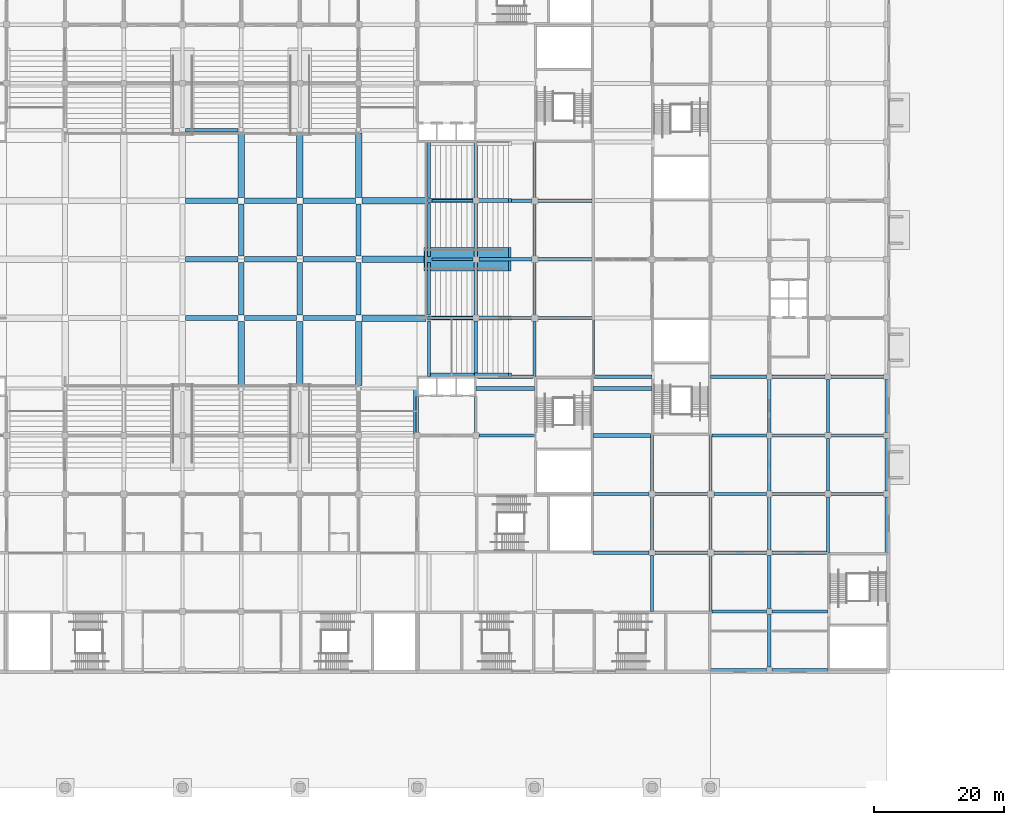
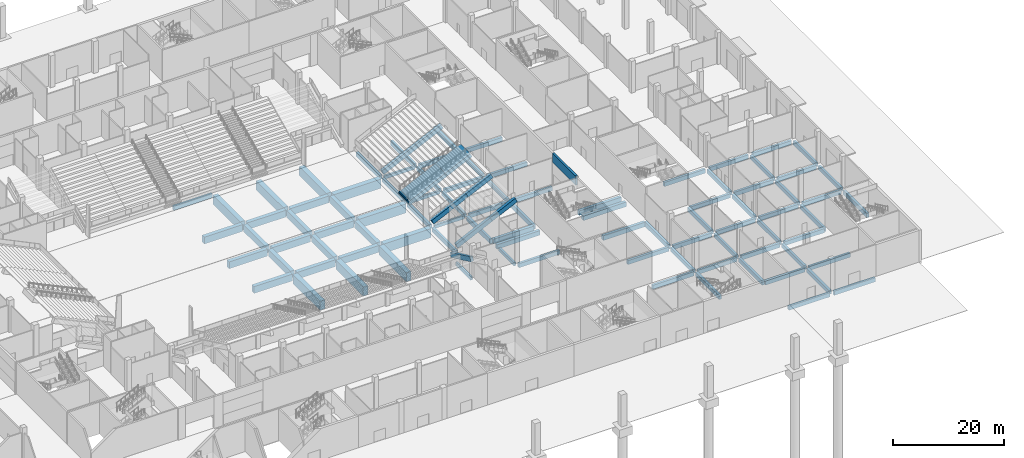
# One storey, part 14 of 92: 101 beams.
"""IFC4 building model written with IfcOpenShell, lengths in metres."""

from ifc_helpers import new_model, si_unit, direction, frame, origin, origin_2d, place, context, subcontext, project, spatial, rectangle, extrude, material, material_profile, profile_set, type_object, element, save


model = new_model("IFC4")

# Units and contexts
model_context = context("Model", 3, precision=1e-05, world=origin(), true_north=direction((0.0, 1.0)))
body_context = subcontext(model_context, "Body", "Model", "MODEL_VIEW")
ifc_project = project(units=[si_unit("LENGTHUNIT", "METRE"), si_unit("AREAUNIT", "SQUARE_METRE"), si_unit("VOLUMEUNIT", "CUBIC_METRE"), si_unit("PLANEANGLEUNIT", "RADIAN"), si_unit("MASSUNIT", "GRAM", prefix="KILO")], contexts=[model_context])

# Site, building, storey
site_placement = place(None, origin())
site = spatial("IfcSite", under=ifc_project, at=site_placement, CompositionType="ELEMENT")
building_placement = place(site_placement, origin())
building = spatial("IfcBuilding", under=site, at=building_placement, Name="Silverbay Arena", CompositionType="ELEMENT")
storey_placement = place(building_placement, origin())
storey = spatial("IfcBuildingStorey", under=building, at=storey_placement, Name="L00", CompositionType="ELEMENT", Elevation=0.0)

# Beams
ifc_material_1 = material(Name="Concrete Grade C45", Category="concrete")
ifc_material_profile_1 = material_profile(ifc_material_1, rectangle(XDim=1.0, YDim=2.0, at=origin_2d()), Name="RC 1000x2000")
ifc_profile_set_1 = profile_set([ifc_material_profile_1], Name="Concrete Grade C45")
beam_type_1 = type_object("IfcBeamType", Name="RC beam 1000x2000", PredefinedType="BEAM", material=ifc_profile_set_1)
for number, where, z_axis, x_axis, name in (
    (1, (153.5, 72.0, -1.60009765625), (1.0, 0.0, 0.0), (0.0, 1.0, 0.0), "Floor beam L00 099"),
    (2, (153.5, 81.0, -1.60009765625), (1.0, 0.0, 0.0), (0.0, 1.0, 0.0), "Floor beam L00 121"),
    (3, (153.5, 90.0, -1.60009765625), (1.0, 0.0, 0.0), (0.0, 1.0, 0.0), "Floor beam L00 143"),
    (4, (135.0, 61.64990234375, -1.60009765625), (0.0, 1.0, 0.0), (-1.0, 0.0, 0.0), "Floor beam L00 359"),
    (5, (135.0, 90.5, -1.60009765625), (0.0, 1.0, 0.0), (-1.0, 0.0, 0.0), "Floor beam L00 362"),
    (6, (144.0, 61.64990234375, -1.60009765625), (0.0, 1.0, 0.0), (-1.0, 0.0, 0.0), "Floor beam L00 372"),
    (7, (144.0, 90.5, -1.60009765625), (0.0, 1.0, 0.0), (-1.0, 0.0, 0.0), "Floor beam L00 375"),
    (8, (153.0, 61.64990234375, -1.60009765625), (0.0, 1.0, 0.0), (-1.0, 0.0, 0.0), "Floor beam L00 384"),
    (9, (153.0, 90.5, -1.60009765625), (0.0, 1.0, 0.0), (-1.0, 0.0, 0.0), "Floor beam L00 387"),
):
    element("IfcBeam", number, at=place(storey_placement, frame(where, z_axis=z_axis, x_axis=x_axis)), inside=storey, type_object=beam_type_1, Name=name, PredefinedType="BEAM", context=body_context, shape_type="SweptSolid", body=[
        extrude(rectangle(XDim=1.0, YDim=2.0, at=origin_2d()), origin(), (0.0, 0.0, 1.0), 9.85009765625),
    ])
ifc_material_2 = material(Name="Concrete Grade C45", Category="concrete")
ifc_material_profile_2 = material_profile(ifc_material_2, rectangle(XDim=0.39990234375, YDim=0.699951171875, at=origin_2d()), Name="RC 400x700")
ifc_profile_set_2 = profile_set([ifc_material_profile_2], Name="Concrete Grade C45")
beam_type_2 = type_object("IfcBeamType", Name="RC beam 400x700", PredefinedType="BEAM", material=ifc_profile_set_2)
for number, where, z_axis, x_axis, name in (
    (10, (164.25, 72.0, -0.800048828125), (1.0, 0.0, 0.0), (0.0, 1.0, 0.0), "Floor beam L00 100"),
    (11, (164.25, 81.0, -0.800048828125), (1.0, 0.0, 0.0), (0.0, 1.0, 0.0), "Floor beam L00 122"),
    (12, (164.25, 90.0, -0.800048828125), (1.0, 0.0, 0.0), (0.0, 1.0, 0.0), "Floor beam L00 144"),
):
    element("IfcBeam", number, at=place(storey_placement, frame(where, z_axis=z_axis, x_axis=x_axis)), inside=storey, type_object=beam_type_2, Name=name, PredefinedType="BEAM", context=body_context, shape_type="SweptSolid", body=[
        extrude(rectangle(XDim=0.39990234375, YDim=0.699951171875, at=origin_2d()), origin(), (0.0, 0.0, 1.0), 6.300048828125),
    ])
for number, where, z_axis, x_axis, name in (
    (13, (162.0, 54.449951171875, -0.800048828125), (0.0, 1.0, 0.0), (-1.0, 0.0, 0.0), "Floor beam L00 395"),
    (14, (171.0, 54.449951171875, -0.800048828125), (0.0, 1.0, 0.0), (-1.0, 0.0, 0.0), "Floor beam L00 408"),
):
    element("IfcBeam", number, at=place(storey_placement, frame(where, z_axis=z_axis, x_axis=x_axis)), inside=storey, type_object=beam_type_2, Name=name, PredefinedType="BEAM", context=body_context, shape_type="SweptSolid", body=[
        extrude(rectangle(XDim=0.39990234375, YDim=0.699951171875, at=origin_2d()), origin(), (0.0, 0.0, 1.0), 5.550048828125),
    ])
ifc_material_3 = material(Name="Concrete Grade C45", Category="concrete")
ifc_material_profile_3 = material_profile(ifc_material_3, rectangle(XDim=0.5, YDim=1.0, at=origin_2d()), Name="RC 500x1000")
ifc_profile_set_3 = profile_set([ifc_material_profile_3], Name="Concrete Grade C45")
beam_type_3 = type_object("IfcBeamType", Name="RC beam 500x1000", PredefinedType="BEAM", material=ifc_profile_set_3)
for number, where, z_axis, x_axis, name in (
    (15, (171.0, 63.0, -0.949951171875), (0.0, 1.0, 0.0), (-1.0, 0.0, 0.0), "Floor beam L00 409"),
    (16, (171.0, 90.449951171875, -0.949951171875), (0.0, 1.0, 0.0), (-1.0, 0.0, 0.0), "Floor beam L00 412"),
):
    element("IfcBeam", number, at=place(storey_placement, frame(where, z_axis=z_axis, x_axis=x_axis)), inside=storey, type_object=beam_type_3, Name=name, PredefinedType="BEAM", context=body_context, shape_type="SweptSolid", body=[
        extrude(rectangle(XDim=0.5, YDim=1.0, at=origin_2d()), origin(), (0.0, 0.0, 1.0), 8.550048828125),
    ])
for number, where, z_axis, x_axis, name in (
    (17, (180.0, 63.0, -0.949951171875), (0.0, 1.0, 0.0), (-1.0, 0.0, 0.0), "Floor beam L00 417"),
    (18, (180.0, 90.5, -0.949951171875), (0.0, 1.0, 0.0), (-1.0, 0.0, 0.0), "Floor beam L00 420"),
):
    element("IfcBeam", number, at=place(storey_placement, frame(where, z_axis=z_axis, x_axis=x_axis)), inside=storey, type_object=beam_type_3, Name=name, PredefinedType="BEAM", context=body_context, shape_type="SweptSolid", body=[
        extrude(rectangle(XDim=0.5, YDim=1.0, at=origin_2d()), origin(), (0.0, 0.0, 1.0), 8.5),
    ])
beam_1_placement = place(storey_placement, frame((198.0, 45.449951171875, -0.949951171875), z_axis=(0.0, 1.0, 0.0), x_axis=(-1.0, 0.0, 0.0)))
element("IfcBeam", 19, at=beam_1_placement, inside=storey, type_object=beam_type_3, Name="Floor beam L00 424", PredefinedType="BEAM", context=body_context, shape_type="SweptSolid", body=[
    extrude(rectangle(XDim=0.5, YDim=1.0, at=origin_2d()), origin(), (0.0, 0.0, 1.0), 8.550048828125),
])
ifc_material_4 = material(Name="Concrete Grade C45", Category="concrete")
ifc_material_profile_4 = material_profile(ifc_material_4, rectangle(XDim=0.5, YDim=0.89990234375, at=origin_2d()), Name="RC 500x900")
ifc_profile_set_4 = profile_set([ifc_material_profile_4], Name="Concrete Grade C45")
beam_type_4 = type_object("IfcBeamType", Name="RC beam 500x900", PredefinedType="BEAM", material=ifc_profile_set_4)
for number, where, z_axis, x_axis, name in (
    (20, (207.0, 18.0, -0.89990234375), (1.0, 0.0, 0.0), (0.0, 1.0, 0.0), "Floor beam L00 008"),
    (21, (216.449951171875, 18.0, -0.89990234375), (1.0, 0.0, 0.0), (0.0, 1.0, 0.0), "Floor beam L00 009"),
):
    element("IfcBeam", number, at=place(storey_placement, frame(where, z_axis=z_axis, x_axis=x_axis)), inside=storey, type_object=beam_type_4, Name=name, PredefinedType="BEAM", context=body_context, shape_type="SweptSolid", body=[
        extrude(rectangle(XDim=0.5, YDim=0.89990234375, at=origin_2d()), origin(), (0.0, 0.0, 1.0), 8.550048828125),
    ])
beam_2_placement = place(storey_placement, frame((207.25, 27.0, -0.89990234375), z_axis=(1.0, 0.0, 0.0), x_axis=(0.0, 1.0, 0.0)))
element("IfcBeam", 22, at=beam_2_placement, inside=storey, type_object=beam_type_4, Name="Floor beam L00 017", PredefinedType="BEAM", context=body_context, shape_type="SweptSolid", body=[
    extrude(rectangle(XDim=0.5, YDim=0.89990234375, at=origin_2d()), origin(), (0.0, 0.0, 1.0), 8.300048828125),
])
for number, where, z_axis, x_axis, name in (
    (23, (216.449951171875, 27.0, -0.89990234375), (1.0, 0.0, 0.0), (0.0, 1.0, 0.0), "Floor beam L00 018"),
    (24, (189.0, 36.0, -0.89990234375), (1.0, 0.0, 0.0), (0.0, 1.0, 0.0), "Floor beam L00 023"),
):
    element("IfcBeam", number, at=place(storey_placement, frame(where, z_axis=z_axis, x_axis=x_axis)), inside=storey, type_object=beam_type_4, Name=name, PredefinedType="BEAM", context=body_context, shape_type="SweptSolid", body=[
        extrude(rectangle(XDim=0.5, YDim=0.89990234375, at=origin_2d()), origin(), (0.0, 0.0, 1.0), 8.550048828125),
    ])
for number, where, z_axis, x_axis, name in (
    (25, (198.449951171875, 36.0, -0.89990234375), (1.0, 0.0, 0.0), (0.0, 1.0, 0.0), "Floor beam L00 024"),
    (26, (207.5, 36.0, -0.89990234375), (1.0, 0.0, 0.0), (0.0, 1.0, 0.0), "Floor beam L00 025"),
):
    element("IfcBeam", number, at=place(storey_placement, frame(where, z_axis=z_axis, x_axis=x_axis)), inside=storey, type_object=beam_type_4, Name=name, PredefinedType="BEAM", context=body_context, shape_type="SweptSolid", body=[
        extrude(rectangle(XDim=0.5, YDim=0.89990234375, at=origin_2d()), origin(), (0.0, 0.0, 1.0), 8.050048828125),
    ])
beam_3_placement = place(storey_placement, frame((216.449951171875, 36.0, -0.89990234375), z_axis=(1.0, 0.0, 0.0), x_axis=(0.0, 1.0, 0.0)))
element("IfcBeam", 27, at=beam_3_placement, inside=storey, type_object=beam_type_4, Name="Floor beam L00 026", PredefinedType="BEAM", context=body_context, shape_type="SweptSolid", body=[
    extrude(rectangle(XDim=0.5, YDim=0.89990234375, at=origin_2d()), origin(), (0.0, 0.0, 1.0), 8.300048828125),
])
beam_4_placement = place(storey_placement, frame((189.0, 45.0, -0.89990234375), z_axis=(1.0, 0.0, 0.0), x_axis=(0.0, 1.0, 0.0)))
element("IfcBeam", 28, at=beam_4_placement, inside=storey, type_object=beam_type_4, Name="Floor beam L00 041", PredefinedType="BEAM", context=body_context, shape_type="SweptSolid", body=[
    extrude(rectangle(XDim=0.5, YDim=0.89990234375, at=origin_2d()), origin(), (0.0, 0.0, 1.0), 8.550048828125),
])
for number, where, z_axis, x_axis, name in (
    (29, (198.449951171875, 45.0, -0.89990234375), (1.0, 0.0, 0.0), (0.0, 1.0, 0.0), "Floor beam L00 042"),
    (30, (207.5, 45.0, -0.89990234375), (1.0, 0.0, 0.0), (0.0, 1.0, 0.0), "Floor beam L00 043"),
):
    element("IfcBeam", number, at=place(storey_placement, frame(where, z_axis=z_axis, x_axis=x_axis)), inside=storey, type_object=beam_type_4, Name=name, PredefinedType="BEAM", context=body_context, shape_type="SweptSolid", body=[
        extrude(rectangle(XDim=0.5, YDim=0.89990234375, at=origin_2d()), origin(), (0.0, 0.0, 1.0), 8.050048828125),
    ])
for number, where, z_axis, x_axis, name in (
    (31, (216.449951171875, 45.0, -0.89990234375), (1.0, 0.0, 0.0), (0.0, 1.0, 0.0), "Floor beam L00 044"),
    (32, (225.449951171875, 45.0, -0.89990234375), (1.0, 0.0, 0.0), (0.0, 1.0, 0.0), "Floor beam L00 045"),
):
    element("IfcBeam", number, at=place(storey_placement, frame(where, z_axis=z_axis, x_axis=x_axis)), inside=storey, type_object=beam_type_4, Name=name, PredefinedType="BEAM", context=body_context, shape_type="SweptSolid", body=[
        extrude(rectangle(XDim=0.5, YDim=0.89990234375, at=origin_2d()), origin(), (0.0, 0.0, 1.0), 8.10009765625),
    ])
beam_5_placement = place(storey_placement, frame((171.449951171875, 54.0, -0.89990234375), z_axis=(1.0, 0.0, 0.0), x_axis=(0.0, 1.0, 0.0)))
element("IfcBeam", 33, at=beam_5_placement, inside=storey, type_object=beam_type_4, Name="Floor beam L00 060", PredefinedType="BEAM", context=body_context, shape_type="SweptSolid", body=[
    extrude(rectangle(XDim=0.5, YDim=0.89990234375, at=origin_2d()), origin(), (0.0, 0.0, 1.0), 8.550048828125),
])
beam_6_placement = place(storey_placement, frame((207.25, 54.0, -0.89990234375), z_axis=(1.0, 0.0, 0.0), x_axis=(0.0, 1.0, 0.0)))
element("IfcBeam", 34, at=beam_6_placement, inside=storey, type_object=beam_type_4, Name="Floor beam L00 062", PredefinedType="BEAM", context=body_context, shape_type="SweptSolid", body=[
    extrude(rectangle(XDim=0.5, YDim=0.89990234375, at=origin_2d()), origin(), (0.0, 0.0, 1.0), 8.300048828125),
])
for number, where, z_axis, x_axis, name in (
    (35, (216.449951171875, 54.0, -0.89990234375), (1.0, 0.0, 0.0), (0.0, 1.0, 0.0), "Floor beam L00 063"),
    (36, (225.449951171875, 54.0, -0.89990234375), (1.0, 0.0, 0.0), (0.0, 1.0, 0.0), "Floor beam L00 064"),
):
    element("IfcBeam", number, at=place(storey_placement, frame(where, z_axis=z_axis, x_axis=x_axis)), inside=storey, type_object=beam_type_4, Name=name, PredefinedType="BEAM", context=body_context, shape_type="SweptSolid", body=[
        extrude(rectangle(XDim=0.5, YDim=0.89990234375, at=origin_2d()), origin(), (0.0, 0.0, 1.0), 8.10009765625),
    ])
beam_7_placement = place(storey_placement, frame((207.0, 63.0, -0.89990234375), z_axis=(1.0, 0.0, 0.0), x_axis=(0.0, 1.0, 0.0)))
element("IfcBeam", 37, at=beam_7_placement, inside=storey, type_object=beam_type_4, Name="Floor beam L00 083", PredefinedType="BEAM", context=body_context, shape_type="SweptSolid", body=[
    extrude(rectangle(XDim=0.5, YDim=0.89990234375, at=origin_2d()), origin(), (0.0, 0.0, 1.0), 8.550048828125),
])
for number, where, z_axis, x_axis, name in (
    (38, (216.449951171875, 63.0, -0.89990234375), (1.0, 0.0, 0.0), (0.0, 1.0, 0.0), "Floor beam L00 084"),
    (39, (225.449951171875, 63.0, -0.89990234375), (1.0, 0.0, 0.0), (0.0, 1.0, 0.0), "Floor beam L00 085"),
):
    element("IfcBeam", number, at=place(storey_placement, frame(where, z_axis=z_axis, x_axis=x_axis)), inside=storey, type_object=beam_type_4, Name=name, PredefinedType="BEAM", context=body_context, shape_type="SweptSolid", body=[
        extrude(rectangle(XDim=0.5, YDim=0.89990234375, at=origin_2d()), origin(), (0.0, 0.0, 1.0), 8.10009765625),
    ])
beam_8_placement = place(storey_placement, frame((171.449951171875, 72.0, -0.89990234375), z_axis=(1.0, 0.0, 0.0), x_axis=(0.0, 1.0, 0.0)))
element("IfcBeam", 40, at=beam_8_placement, inside=storey, type_object=beam_type_4, Name="Floor beam L00 101", PredefinedType="BEAM", context=body_context, shape_type="SweptSolid", body=[
    extrude(rectangle(XDim=0.5, YDim=0.89990234375, at=origin_2d()), origin(), (0.0, 0.0, 1.0), 8.050048828125),
])
beam_9_placement = place(storey_placement, frame((180.5, 72.0, -0.89990234375), z_axis=(1.0, 0.0, 0.0), x_axis=(0.0, 1.0, 0.0)))
element("IfcBeam", 41, at=beam_9_placement, inside=storey, type_object=beam_type_4, Name="Floor beam L00 102", PredefinedType="BEAM", context=body_context, shape_type="SweptSolid", body=[
    extrude(rectangle(XDim=0.5, YDim=0.89990234375, at=origin_2d()), origin(), (0.0, 0.0, 1.0), 8.300048828125),
])
beam_10_placement = place(storey_placement, frame((171.449951171875, 81.0, -0.89990234375), z_axis=(1.0, 0.0, 0.0), x_axis=(0.0, 1.0, 0.0)))
element("IfcBeam", 42, at=beam_10_placement, inside=storey, type_object=beam_type_4, Name="Floor beam L00 123", PredefinedType="BEAM", context=body_context, shape_type="SweptSolid", body=[
    extrude(rectangle(XDim=0.5, YDim=0.89990234375, at=origin_2d()), origin(), (0.0, 0.0, 1.0), 8.050048828125),
])
beam_11_placement = place(storey_placement, frame((180.5, 81.0, -0.89990234375), z_axis=(1.0, 0.0, 0.0), x_axis=(0.0, 1.0, 0.0)))
element("IfcBeam", 43, at=beam_11_placement, inside=storey, type_object=beam_type_4, Name="Floor beam L00 124", PredefinedType="BEAM", context=body_context, shape_type="SweptSolid", body=[
    extrude(rectangle(XDim=0.5, YDim=0.89990234375, at=origin_2d()), origin(), (0.0, 0.0, 1.0), 8.300048828125),
])
beam_12_placement = place(storey_placement, frame((171.449951171875, 90.0, -0.89990234375), z_axis=(1.0, 0.0, 0.0), x_axis=(0.0, 1.0, 0.0)))
element("IfcBeam", 44, at=beam_12_placement, inside=storey, type_object=beam_type_4, Name="Floor beam L00 145", PredefinedType="BEAM", context=body_context, shape_type="SweptSolid", body=[
    extrude(rectangle(XDim=0.5, YDim=0.89990234375, at=origin_2d()), origin(), (0.0, 0.0, 1.0), 8.050048828125),
])
beam_13_placement = place(storey_placement, frame((180.5, 90.0, -0.89990234375), z_axis=(1.0, 0.0, 0.0), x_axis=(0.0, 1.0, 0.0)))
element("IfcBeam", 45, at=beam_13_placement, inside=storey, type_object=beam_type_4, Name="Floor beam L00 146", PredefinedType="BEAM", context=body_context, shape_type="SweptSolid", body=[
    extrude(rectangle(XDim=0.5, YDim=0.89990234375, at=origin_2d()), origin(), (0.0, 0.0, 1.0), 8.300048828125),
])
beam_14_placement = place(storey_placement, frame((126.449951171875, 100.800048828125, -0.89990234375), z_axis=(1.0, 0.0, 0.0), x_axis=(0.0, 1.0, 0.0)))
element("IfcBeam", 46, at=beam_14_placement, inside=storey, type_object=beam_type_4, Name="Floor beam L00 166", PredefinedType="BEAM", context=body_context, shape_type="SweptSolid", body=[
    extrude(rectangle(XDim=0.5, YDim=0.89990234375, at=origin_2d()), origin(), (0.0, 0.0, 1.0), 8.10009765625),
])
beam_15_placement = place(storey_placement, frame((163.800048828125, 63.0, -0.89990234375), z_axis=(0.0, 1.0, 0.0), x_axis=(-1.0, 0.0, 0.0)))
element("IfcBeam", 47, at=beam_15_placement, inside=storey, type_object=beam_type_4, Name="Floor beam L00 401", PredefinedType="BEAM", context=body_context, shape_type="SweptSolid", body=[
    extrude(rectangle(XDim=0.5, YDim=0.89990234375, at=origin_2d()), origin(), (0.0, 0.0, 1.0), 8.550048828125),
])
for number, where, z_axis, x_axis, name in (
    (48, (163.800048828125, 72.449951171875, -0.89990234375), (0.0, 1.0, 0.0), (-1.0, 0.0, 0.0), "Floor beam L00 402"),
    (49, (163.800048828125, 81.449951171875, -0.89990234375), (0.0, 1.0, 0.0), (-1.0, 0.0, 0.0), "Floor beam L00 403"),
):
    element("IfcBeam", number, at=place(storey_placement, frame(where, z_axis=z_axis, x_axis=x_axis)), inside=storey, type_object=beam_type_4, Name=name, PredefinedType="BEAM", context=body_context, shape_type="SweptSolid", body=[
        extrude(rectangle(XDim=0.5, YDim=0.89990234375, at=origin_2d()), origin(), (0.0, 0.0, 1.0), 8.10009765625),
    ])
beam_16_placement = place(storey_placement, frame((163.800048828125, 90.449951171875, -0.89990234375), z_axis=(0.0, 1.0, 0.0), x_axis=(-1.0, 0.0, 0.0)))
element("IfcBeam", 50, at=beam_16_placement, inside=storey, type_object=beam_type_4, Name="Floor beam L00 404", PredefinedType="BEAM", context=body_context, shape_type="SweptSolid", body=[
    extrude(rectangle(XDim=0.5, YDim=0.89990234375, at=origin_2d()), origin(), (0.0, 0.0, 1.0), 8.550048828125),
])
for number, where, z_axis, x_axis, name in (
    (51, (171.0, 72.449951171875, -0.89990234375), (0.0, 1.0, 0.0), (-1.0, 0.0, 0.0), "Floor beam L00 410"),
    (52, (171.0, 81.449951171875, -0.89990234375), (0.0, 1.0, 0.0), (-1.0, 0.0, 0.0), "Floor beam L00 411"),
):
    element("IfcBeam", number, at=place(storey_placement, frame(where, z_axis=z_axis, x_axis=x_axis)), inside=storey, type_object=beam_type_4, Name=name, PredefinedType="BEAM", context=body_context, shape_type="SweptSolid", body=[
        extrude(rectangle(XDim=0.5, YDim=0.89990234375, at=origin_2d()), origin(), (0.0, 0.0, 1.0), 8.10009765625),
    ])
for number, where, z_axis, x_axis, name in (
    (53, (180.0, 72.5, -0.89990234375), (0.0, 1.0, 0.0), (-1.0, 0.0, 0.0), "Floor beam L00 418"),
    (54, (180.0, 81.5, -0.89990234375), (0.0, 1.0, 0.0), (-1.0, 0.0, 0.0), "Floor beam L00 419"),
):
    element("IfcBeam", number, at=place(storey_placement, frame(where, z_axis=z_axis, x_axis=x_axis)), inside=storey, type_object=beam_type_4, Name=name, PredefinedType="BEAM", context=body_context, shape_type="SweptSolid", body=[
        extrude(rectangle(XDim=0.5, YDim=0.89990234375, at=origin_2d()), origin(), (0.0, 0.0, 1.0), 8.0),
    ])
beam_17_placement = place(storey_placement, frame((198.0, 27.0, -0.89990234375), z_axis=(0.0, 1.0, 0.0), x_axis=(-1.0, 0.0, 0.0)))
element("IfcBeam", 55, at=beam_17_placement, inside=storey, type_object=beam_type_4, Name="Floor beam L00 422", PredefinedType="BEAM", context=body_context, shape_type="SweptSolid", body=[
    extrude(rectangle(XDim=0.5, YDim=0.89990234375, at=origin_2d()), origin(), (0.0, 0.0, 1.0), 8.550048828125),
])
beam_18_placement = place(storey_placement, frame((198.0, 36.449951171875, -0.89990234375), z_axis=(0.0, 1.0, 0.0), x_axis=(-1.0, 0.0, 0.0)))
element("IfcBeam", 56, at=beam_18_placement, inside=storey, type_object=beam_type_4, Name="Floor beam L00 423", PredefinedType="BEAM", context=body_context, shape_type="SweptSolid", body=[
    extrude(rectangle(XDim=0.5, YDim=0.89990234375, at=origin_2d()), origin(), (0.0, 0.0, 1.0), 8.10009765625),
])
beam_19_placement = place(storey_placement, frame((207.0, 27.0, -0.89990234375), z_axis=(0.0, 1.0, 0.0), x_axis=(-1.0, 0.0, 0.0)))
element("IfcBeam", 57, at=beam_19_placement, inside=storey, type_object=beam_type_4, Name="Floor beam L00 430", PredefinedType="BEAM", context=body_context, shape_type="SweptSolid", body=[
    extrude(rectangle(XDim=0.5, YDim=0.89990234375, at=origin_2d()), origin(), (0.0, 0.0, 1.0), 8.5),
])
beam_20_placement = place(storey_placement, frame((207.0, 36.5, -0.89990234375), z_axis=(0.0, 1.0, 0.0), x_axis=(-1.0, 0.0, 0.0)))
element("IfcBeam", 58, at=beam_20_placement, inside=storey, type_object=beam_type_4, Name="Floor beam L00 431", PredefinedType="BEAM", context=body_context, shape_type="SweptSolid", body=[
    extrude(rectangle(XDim=0.5, YDim=0.89990234375, at=origin_2d()), origin(), (0.0, 0.0, 1.0), 8.0),
])
beam_21_placement = place(storey_placement, frame((207.0, 45.5, -0.89990234375), z_axis=(0.0, 1.0, 0.0), x_axis=(-1.0, 0.0, 0.0)))
element("IfcBeam", 59, at=beam_21_placement, inside=storey, type_object=beam_type_4, Name="Floor beam L00 432", PredefinedType="BEAM", context=body_context, shape_type="SweptSolid", body=[
    extrude(rectangle(XDim=0.5, YDim=0.89990234375, at=origin_2d()), origin(), (0.0, 0.0, 1.0), 8.5),
])
for number, where, z_axis, x_axis, name in (
    (60, (216.0, 18.449951171875, -0.89990234375), (0.0, 1.0, 0.0), (-1.0, 0.0, 0.0), "Floor beam L00 438"),
    (61, (216.0, 27.449951171875, -0.89990234375), (0.0, 1.0, 0.0), (-1.0, 0.0, 0.0), "Floor beam L00 439"),
    (62, (216.0, 36.449951171875, -0.89990234375), (0.0, 1.0, 0.0), (-1.0, 0.0, 0.0), "Floor beam L00 440"),
    (63, (216.0, 45.449951171875, -0.89990234375), (0.0, 1.0, 0.0), (-1.0, 0.0, 0.0), "Floor beam L00 441"),
    (64, (216.0, 54.449951171875, -0.89990234375), (0.0, 1.0, 0.0), (-1.0, 0.0, 0.0), "Floor beam L00 442"),
):
    element("IfcBeam", number, at=place(storey_placement, frame(where, z_axis=z_axis, x_axis=x_axis)), inside=storey, type_object=beam_type_4, Name=name, PredefinedType="BEAM", context=body_context, shape_type="SweptSolid", body=[
        extrude(rectangle(XDim=0.5, YDim=0.89990234375, at=origin_2d()), origin(), (0.0, 0.0, 1.0), 8.10009765625),
    ])
beam_22_placement = place(storey_placement, frame((225.0, 36.0, -0.89990234375), z_axis=(0.0, 1.0, 0.0), x_axis=(-1.0, 0.0, 0.0)))
element("IfcBeam", 65, at=beam_22_placement, inside=storey, type_object=beam_type_4, Name="Floor beam L00 452", PredefinedType="BEAM", context=body_context, shape_type="SweptSolid", body=[
    extrude(rectangle(XDim=0.5, YDim=0.89990234375, at=origin_2d()), origin(), (0.0, 0.0, 1.0), 8.550048828125),
])
for number, where, z_axis, x_axis, name in (
    (66, (225.0, 45.449951171875, -0.89990234375), (0.0, 1.0, 0.0), (-1.0, 0.0, 0.0), "Floor beam L00 453"),
    (67, (225.0, 54.449951171875, -0.89990234375), (0.0, 1.0, 0.0), (-1.0, 0.0, 0.0), "Floor beam L00 454"),
):
    element("IfcBeam", number, at=place(storey_placement, frame(where, z_axis=z_axis, x_axis=x_axis)), inside=storey, type_object=beam_type_4, Name=name, PredefinedType="BEAM", context=body_context, shape_type="SweptSolid", body=[
        extrude(rectangle(XDim=0.5, YDim=0.89990234375, at=origin_2d()), origin(), (0.0, 0.0, 1.0), 8.10009765625),
    ])
beam_23_placement = place(storey_placement, frame((234.0, 36.0, -0.89990234375), z_axis=(0.0, 1.0, 0.0), x_axis=(-1.0, 0.0, 0.0)))
element("IfcBeam", 68, at=beam_23_placement, inside=storey, type_object=beam_type_4, Name="Floor beam L00 462", PredefinedType="BEAM", context=body_context, shape_type="SweptSolid", body=[
    extrude(rectangle(XDim=0.5, YDim=0.89990234375, at=origin_2d()), origin(), (0.0, 0.0, 1.0), 8.550048828125),
])
for number, where, z_axis, x_axis, name in (
    (69, (234.0, 45.449951171875, -0.89990234375), (0.0, 1.0, 0.0), (-1.0, 0.0, 0.0), "Floor beam L00 463"),
    (70, (234.0, 54.449951171875, -0.89990234375), (0.0, 1.0, 0.0), (-1.0, 0.0, 0.0), "Floor beam L00 464"),
):
    element("IfcBeam", number, at=place(storey_placement, frame(where, z_axis=z_axis, x_axis=x_axis)), inside=storey, type_object=beam_type_4, Name=name, PredefinedType="BEAM", context=body_context, shape_type="SweptSolid", body=[
        extrude(rectangle(XDim=0.5, YDim=0.89990234375, at=origin_2d()), origin(), (0.0, 0.0, 1.0), 8.10009765625),
    ])
ifc_material_5 = material(Name="Concrete Grade C45", Category="concrete")
ifc_material_profile_5 = material_profile(ifc_material_5, rectangle(XDim=0.60009765625, YDim=1.0, at=origin_2d()), Name="RC 600x1000")
ifc_profile_set_5 = profile_set([ifc_material_profile_5], Name="Concrete Grade C45")
beam_type_5 = type_object("IfcBeamType", Name="RC beam 600x1000", PredefinedType="BEAM", material=ifc_profile_set_5)
beam_24_placement = place(storey_placement, frame((189.0, 54.0, -0.949951171875), z_axis=(1.0, 0.0, 0.0), x_axis=(0.0, 1.0, 0.0)))
element("IfcBeam", 71, at=beam_24_placement, inside=storey, type_object=beam_type_5, Name="Floor beam L00 061", PredefinedType="BEAM", context=body_context, shape_type="SweptSolid", body=[
    extrude(rectangle(XDim=0.60009765625, YDim=1.0, at=origin_2d()), origin(), (0.0, 0.0, 1.0), 8.75),
])
for number, where, z_axis, x_axis, name in (
    (72, (171.0, 61.199951171875, -0.949951171875), (1.0, 0.0, 0.0), (0.0, 1.0, 0.0), "Floor beam L00 074"),
    (73, (189.0, 61.199951171875, -0.949951171875), (1.0, 0.0, 0.0), (0.0, 1.0, 0.0), "Floor beam L00 075"),
):
    element("IfcBeam", number, at=place(storey_placement, frame(where, z_axis=z_axis, x_axis=x_axis)), inside=storey, type_object=beam_type_5, Name=name, PredefinedType="BEAM", context=body_context, shape_type="SweptSolid", body=[
        extrude(rectangle(XDim=0.60009765625, YDim=1.0, at=origin_2d()), origin(), (0.0, 0.0, 1.0), 9.0),
    ])
beam_25_placement = place(storey_placement, frame((171.25, 63.0, -0.949951171875), z_axis=(1.0, 0.0, 0.0), x_axis=(0.0, 1.0, 0.0)))
element("IfcBeam", 74, at=beam_25_placement, inside=storey, type_object=beam_type_5, Name="Floor beam L00 081", PredefinedType="BEAM", context=body_context, shape_type="SweptSolid", body=[
    extrude(rectangle(XDim=0.60009765625, YDim=1.0, at=origin_2d()), origin(), (0.0, 0.0, 1.0), 8.5),
])
beam_26_placement = place(storey_placement, frame((189.199951171875, 63.0, -0.949951171875), z_axis=(1.0, 0.0, 0.0), x_axis=(0.0, 1.0, 0.0)))
element("IfcBeam", 75, at=beam_26_placement, inside=storey, type_object=beam_type_5, Name="Floor beam L00 082", PredefinedType="BEAM", context=body_context, shape_type="SweptSolid", body=[
    extrude(rectangle(XDim=0.60009765625, YDim=1.0, at=origin_2d()), origin(), (0.0, 0.0, 1.0), 8.800048828125),
])
ifc_material_6 = material(Name="Concrete Grade C45", Category="concrete")
ifc_material_profile_6 = material_profile(ifc_material_6, rectangle(XDim=0.800048828125, YDim=1.5, at=origin_2d()), Name="RC 800x1500")
ifc_profile_set_6 = profile_set([ifc_material_profile_6], Name="Concrete Grade C45")
beam_type_6 = type_object("IfcBeamType", Name="RC beam 800x1500", PredefinedType="BEAM", material=ifc_profile_set_6)
for number, where, z_axis, x_axis, name in (
    (76, (126.5, 72.0, -1.35009765625), (1.0, 0.0, 0.0), (0.0, 1.0, 0.0), "Floor beam L00 096"),
    (77, (135.5, 72.0, -1.35009765625), (1.0, 0.0, 0.0), (0.0, 1.0, 0.0), "Floor beam L00 097"),
    (78, (144.5, 72.0, -1.35009765625), (1.0, 0.0, 0.0), (0.0, 1.0, 0.0), "Floor beam L00 098"),
    (79, (126.5, 81.0, -1.35009765625), (1.0, 0.0, 0.0), (0.0, 1.0, 0.0), "Floor beam L00 118"),
    (80, (135.5, 81.0, -1.35009765625), (1.0, 0.0, 0.0), (0.0, 1.0, 0.0), "Floor beam L00 119"),
    (81, (144.5, 81.0, -1.35009765625), (1.0, 0.0, 0.0), (0.0, 1.0, 0.0), "Floor beam L00 120"),
    (82, (126.5, 90.0, -1.35009765625), (1.0, 0.0, 0.0), (0.0, 1.0, 0.0), "Floor beam L00 140"),
    (83, (135.5, 90.0, -1.35009765625), (1.0, 0.0, 0.0), (0.0, 1.0, 0.0), "Floor beam L00 141"),
    (84, (144.5, 90.0, -1.35009765625), (1.0, 0.0, 0.0), (0.0, 1.0, 0.0), "Floor beam L00 142"),
    (85, (135.0, 72.5, -1.35009765625), (0.0, 1.0, 0.0), (-1.0, 0.0, 0.0), "Floor beam L00 360"),
    (86, (135.0, 81.5, -1.35009765625), (0.0, 1.0, 0.0), (-1.0, 0.0, 0.0), "Floor beam L00 361"),
    (87, (144.0, 72.5, -1.35009765625), (0.0, 1.0, 0.0), (-1.0, 0.0, 0.0), "Floor beam L00 373"),
    (88, (144.0, 81.5, -1.35009765625), (0.0, 1.0, 0.0), (-1.0, 0.0, 0.0), "Floor beam L00 374"),
    (89, (153.0, 72.5, -1.35009765625), (0.0, 1.0, 0.0), (-1.0, 0.0, 0.0), "Floor beam L00 385"),
    (90, (153.0, 81.5, -1.35009765625), (0.0, 1.0, 0.0), (-1.0, 0.0, 0.0), "Floor beam L00 386"),
):
    element("IfcBeam", number, at=place(storey_placement, frame(where, z_axis=z_axis, x_axis=x_axis)), inside=storey, type_object=beam_type_6, Name=name, PredefinedType="BEAM", context=body_context, shape_type="SweptSolid", body=[
        extrude(rectangle(XDim=0.800048828125, YDim=1.5, at=origin_2d()), origin(), (0.0, 0.0, 1.0), 8.0),
    ])
ifc_material_7 = material(Name="Concrete Grade C45", Category="concrete")
ifc_material_profile_7 = material_profile(ifc_material_7, rectangle(XDim=0.300048828125, YDim=0.298828125, at=origin_2d()), Name="RC 300x299")
ifc_profile_set_7 = profile_set([ifc_material_profile_7], Name="Concrete Grade C45")
beam_type_7 = type_object("IfcBeamType", Name="RC foot plinth 300x299", PredefinedType="BEAM", material=ifc_profile_set_7)
beam_27_placement = place(storey_placement, frame((163.199951171875, 79.5, 0.960693359375), z_axis=(0.0, 1.0, 0.0), x_axis=(-1.0, 0.0, 0.0)))
element("IfcBeam", 91, at=beam_27_placement, inside=storey, type_object=beam_type_7, Name="Foot plinth East lower 81", PredefinedType="BEAM", context=body_context, shape_type="SweptSolid", body=[
    extrude(rectangle(XDim=0.300048828125, YDim=0.298828125, at=origin_2d()), origin(), (0.0, 0.0, 1.0), 3.0),
])
ifc_material_8 = material(Name="Concrete Grade C45", Category="concrete")
ifc_material_profile_8 = material_profile(ifc_material_8, rectangle(XDim=0.39990234375, YDim=2.0, at=origin_2d()), Name="RC 400x2000")
ifc_profile_set_8 = profile_set([ifc_material_profile_8], Name="Concrete Grade C45")
beam_type_8 = type_object("IfcBeamType", Name="RC lintel 400x2000", PredefinedType="BEAM", material=ifc_profile_set_8)
beam_28_placement = place(storey_placement, frame((189.0, 63.300048828125, 6.0), z_axis=(0.0, 1.0, 0.0), x_axis=(-1.0, 0.0, 0.0)))
element("IfcBeam", 92, at=beam_28_placement, inside=storey, type_object=beam_type_8, Name="Lintel over portal L00-TES", PredefinedType="BEAM", context=body_context, shape_type="SweptSolid", body=[
    extrude(rectangle(XDim=0.39990234375, YDim=2.0, at=origin_2d()), origin(), (0.0, 0.0, 1.0), 8.39990234375),
])
ifc_material_9 = material(Name="Concrete Grade C45", Category="concrete")
ifc_material_profile_9 = material_profile(ifc_material_9, rectangle(XDim=3.60009765625, YDim=0.89990234375, at=origin_2d()), Name="RC 3600x900")
ifc_profile_set_9 = profile_set([ifc_material_profile_9], Name="Concrete Grade C45")
beam_type_9 = type_object("IfcBeamType", Name="RC tier raker 3600x900", PredefinedType="BEAM", material=ifc_profile_set_9)
beam_29_placement = place(storey_placement, frame((163.199951171875, 81.0, 0.24169921875), z_axis=(0.903275038974, 0.0, 0.429062004804), x_axis=(0.0, 1.0, 0.0)))
element("IfcBeam", 93, at=beam_29_placement, inside=storey, type_object=beam_type_9, Name="Raker East lower 81 front", PredefinedType="BEAM", context=body_context, shape_type="SweptSolid", body=[
    extrude(rectangle(XDim=3.60009765625, YDim=0.89990234375, at=origin_2d()), origin(), (0.0, 0.0, 1.0), 8.63525390625),
])
beam_30_placement = place(storey_placement, frame((171.0, 81.0, 3.94677734375), z_axis=(0.903272978458, 0.0, 0.429066342642), x_axis=(0.0, 1.0, 0.0)))
element("IfcBeam", 94, at=beam_30_placement, inside=storey, type_object=beam_type_9, Name="Raker East lower 81 back", PredefinedType="BEAM", context=body_context, shape_type="SweptSolid", body=[
    extrude(rectangle(XDim=3.60009765625, YDim=0.89990234375, at=origin_2d()), origin(), (0.0, 0.0, 1.0), 5.749267578125),
])
ifc_material_10 = material(Name="Concrete Grade C45", Category="concrete")
ifc_material_profile_10 = material_profile(ifc_material_10, rectangle(XDim=0.60009765625, YDim=1.0, at=origin_2d()), Name="RC 600x1000")
ifc_profile_set_10 = profile_set([ifc_material_profile_10], Name="Concrete Grade C45")
beam_type_10 = type_object("IfcBeamType", Name="RC tier raker 600x1000", PredefinedType="BEAM", material=ifc_profile_set_10)
for number, where, z_axis, x_axis, name in (
    (95, (161.75, 61.199951171875, 0.471435546875), (0.0, -0.903280175199, 0.429051191692), (1.0, 0.0, 0.0), "Raker South lower 162 front"),
    (96, (163.800048828125, 63.25, 0.471435546875), (0.903280175199, 0.0, 0.429051191692), (0.0, 1.0, 0.0), "Raker East lower 63 front"),
):
    element("IfcBeam", number, at=place(storey_placement, frame(where, z_axis=z_axis, x_axis=x_axis)), inside=storey, type_object=beam_type_10, Name=name, PredefinedType="BEAM", context=body_context, shape_type="SweptSolid", body=[
        extrude(rectangle(XDim=0.60009765625, YDim=1.0, at=origin_2d()), origin(), (0.0, 0.0, 1.0), 7.970947265625),
    ])
beam_31_placement = place(storey_placement, frame((171.0, 63.25, 3.891357421875), z_axis=(0.903269719071, 0.0, 0.429073204255), x_axis=(0.0, 1.0, 0.0)))
element("IfcBeam", 97, at=beam_31_placement, inside=storey, type_object=beam_type_10, Name="Raker East lower 63 back", PredefinedType="BEAM", context=body_context, shape_type="SweptSolid", body=[
    extrude(rectangle(XDim=0.60009765625, YDim=1.0, at=origin_2d()), origin(), (0.0, 0.0, 1.0), 5.77294921875),
])
beam_32_placement = place(storey_placement, frame((163.800048828125, 72.0, 0.471435546875), z_axis=(0.903280175199, 0.0, 0.429051191692), x_axis=(0.0, 1.0, 0.0)))
element("IfcBeam", 98, at=beam_32_placement, inside=storey, type_object=beam_type_10, Name="Raker East lower 72 front", PredefinedType="BEAM", context=body_context, shape_type="SweptSolid", body=[
    extrude(rectangle(XDim=0.60009765625, YDim=1.0, at=origin_2d()), origin(), (0.0, 0.0, 1.0), 7.970947265625),
])
beam_33_placement = place(storey_placement, frame((171.0, 72.0, 3.891357421875), z_axis=(0.903269719071, 0.0, 0.429073204255), x_axis=(0.0, 1.0, 0.0)))
element("IfcBeam", 99, at=beam_33_placement, inside=storey, type_object=beam_type_10, Name="Raker East lower 72 back", PredefinedType="BEAM", context=body_context, shape_type="SweptSolid", body=[
    extrude(rectangle(XDim=0.60009765625, YDim=1.0, at=origin_2d()), origin(), (0.0, 0.0, 1.0), 5.77294921875),
])
beam_34_placement = place(storey_placement, frame((163.800048828125, 90.0, 0.471435546875), z_axis=(0.903280175199, 0.0, 0.429051191692), x_axis=(0.0, 1.0, 0.0)))
element("IfcBeam", 100, at=beam_34_placement, inside=storey, type_object=beam_type_10, Name="Raker East lower 90 front", PredefinedType="BEAM", context=body_context, shape_type="SweptSolid", body=[
    extrude(rectangle(XDim=0.60009765625, YDim=1.0, at=origin_2d()), origin(), (0.0, 0.0, 1.0), 7.970947265625),
])
beam_35_placement = place(storey_placement, frame((171.0, 90.0, 3.891357421875), z_axis=(0.903269719071, 0.0, 0.429073204255), x_axis=(0.0, 1.0, 0.0)))
element("IfcBeam", 101, at=beam_35_placement, inside=storey, type_object=beam_type_10, Name="Raker East lower 90 back", PredefinedType="BEAM", context=body_context, shape_type="SweptSolid", body=[
    extrude(rectangle(XDim=0.60009765625, YDim=1.0, at=origin_2d()), origin(), (0.0, 0.0, 1.0), 5.77294921875),
])

save(model, "model.ifc")
